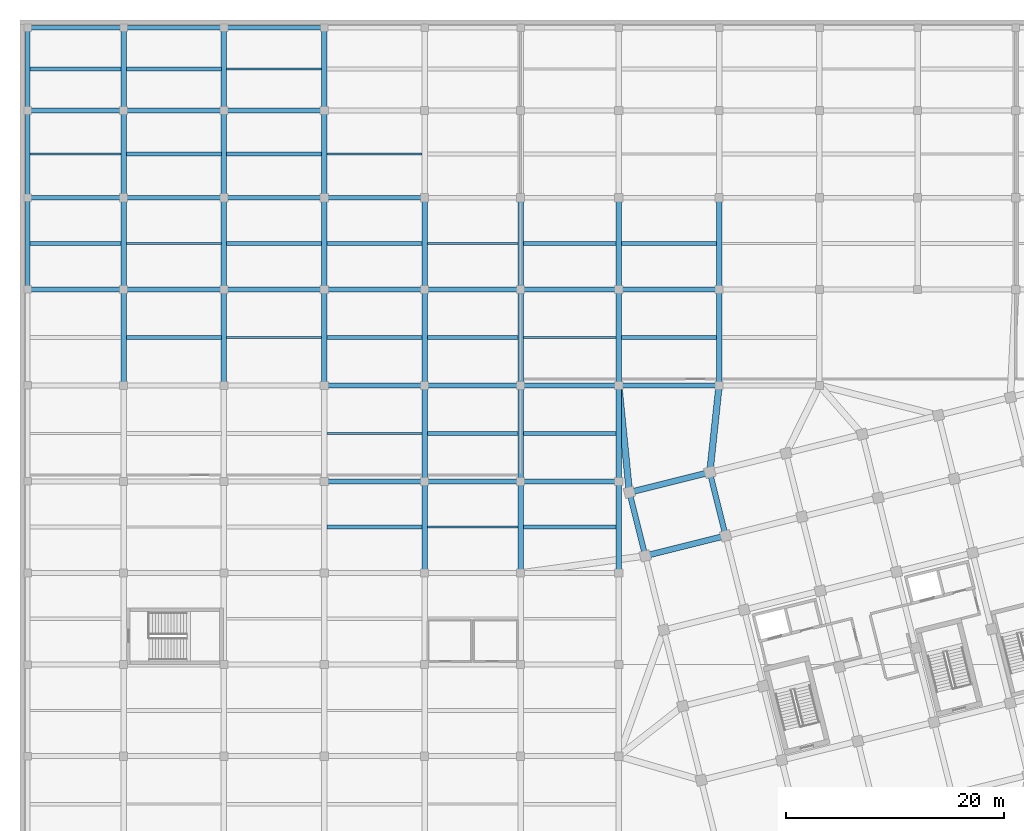
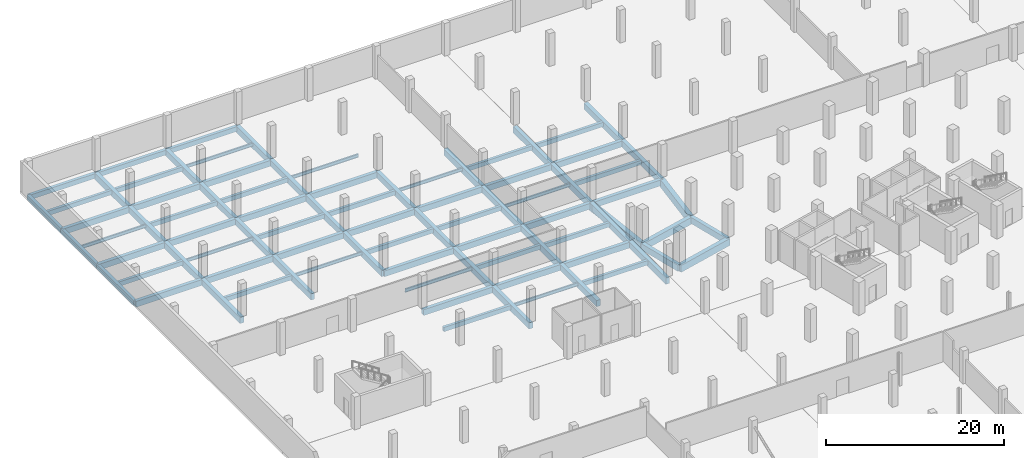
# One storey, part 12 of 31: 85 beams.
"""IFC4 building model written with IfcOpenShell, lengths in metres."""

from ifc_helpers import new_model, si_unit, direction, frame, origin, origin_2d, place, context, subcontext, project, spatial, rectangle, i_section, extrude, material, material_profile, profile_set, type_object, element, save


model = new_model("IFC4")

# Units and contexts
model_context = context("Model", 3, precision=1e-05, world=origin(), true_north=direction((0.0, 1.0)))
body_context = subcontext(model_context, "Body", "Model", "MODEL_VIEW")
ifc_project = project(units=[si_unit("LENGTHUNIT", "METRE"), si_unit("AREAUNIT", "SQUARE_METRE"), si_unit("VOLUMEUNIT", "CUBIC_METRE"), si_unit("PLANEANGLEUNIT", "RADIAN"), si_unit("MASSUNIT", "GRAM", prefix="KILO")], contexts=[model_context])

# Site, building, storey
site_placement = place(None, origin())
site = spatial("IfcSite", under=ifc_project, at=site_placement, CompositionType="ELEMENT")
building_placement = place(site_placement, origin())
building = spatial("IfcBuilding", under=site, at=building_placement, Name="Meriwether Solvik Hall", CompositionType="ELEMENT")
storey_placement = place(building_placement, frame((0.0, 0.0, -4.5)))
storey = spatial("IfcBuildingStorey", under=building, at=storey_placement, Name="B01", CompositionType="ELEMENT", Elevation=-4.5)

# Beams
ifc_material_1 = material(Name="Concrete C40/50", Category="concrete")
ifc_material_profile_1 = material_profile(ifc_material_1, rectangle(XDim=0.35009765625, YDim=0.60009765625, at=origin_2d()), Name="RCB-350X600")
ifc_profile_set_1 = profile_set([ifc_material_profile_1], Name="Concrete C40/50")
beam_type_1 = type_object("IfcBeamType", Name="BM-RC-350X600", PredefinedType="JOIST", material=ifc_profile_set_1)
for number, where, z_axis, x_axis, name in (
    (1, (5.39501953125, 97.0, -0.6298828125), (1.0, 0.0, 0.0), (0.0, 1.0, 0.0), "Secondary Floor Joist 1/K (B01)"),
    (2, (5.39501953125, 113.0, -0.6298828125), (1.0, 0.0, 0.0), (0.0, 1.0, 0.0), "Secondary Floor Joist 1/M (B01)"),
):
    element("IfcBeam", number, at=place(storey_placement, frame(where, z_axis=z_axis, x_axis=x_axis)), inside=storey, type_object=beam_type_1, Name=name, PredefinedType="JOIST", context=body_context, shape_type="SweptSolid", body=[
        extrude(rectangle(XDim=0.35009765625, YDim=0.60009765625, at=origin_2d()), origin(), (0.0, 0.0, 1.0), 8.35986328125),
    ])
for number, where, z_axis, x_axis, name in (
    (3, (14.2451171875, 88.39990234375, -0.6298828125), (1.0, 0.0, 0.0), (0.0, 1.0, 0.0), "Secondary Floor Joist 2/J (B01)"),
    (4, (14.2451171875, 105.199951171875, -0.6298828125), (1.0, 0.0, 0.0), (0.0, 1.0, 0.0), "Secondary Floor Joist 2/L (B01)"),
    (5, (14.2451171875, 113.0, -0.6298828125), (1.0, 0.0, 0.0), (0.0, 1.0, 0.0), "Secondary Floor Joist 2/M (B01)"),
    (6, (23.445068359375, 97.0, -0.6298828125), (1.0, 0.0, 0.0), (0.0, 1.0, 0.0), "Secondary Floor Joist 3/K (B01)"),
    (7, (23.445068359375, 105.199951171875, -0.6298828125), (1.0, 0.0, 0.0), (0.0, 1.0, 0.0), "Secondary Floor Joist 3/L (B01)"),
    (8, (32.64501953125, 71.0, -0.6298828125), (1.0, 0.0, 0.0), (0.0, 1.0, 0.0), "Secondary Floor Joist 4/H (B01)"),
    (9, (32.64501953125, 88.39990234375, -0.6298828125), (1.0, 0.0, 0.0), (0.0, 1.0, 0.0), "Secondary Floor Joist 4/J (B01)"),
    (10, (32.64501953125, 97.0, -0.6298828125), (1.0, 0.0, 0.0), (0.0, 1.0, 0.0), "Secondary Floor Joist 4/K (B01)"),
):
    element("IfcBeam", number, at=place(storey_placement, frame(where, z_axis=z_axis, x_axis=x_axis)), inside=storey, type_object=beam_type_1, Name=name, PredefinedType="JOIST", context=body_context, shape_type="SweptSolid", body=[
        extrude(rectangle(XDim=0.35009765625, YDim=0.60009765625, at=origin_2d()), origin(), (0.0, 0.0, 1.0), 8.7099609375),
    ])
for number, where, z_axis, x_axis, name in (
    (11, (41.844970703125, 79.60009765625, -0.6298828125), (1.0, 0.0, 0.0), (0.0, 1.0, 0.0), "Secondary Floor Joist 5/I (B01)"),
    (12, (41.844970703125, 88.39990234375, -0.6298828125), (1.0, 0.0, 0.0), (0.0, 1.0, 0.0), "Secondary Floor Joist 5/J (B01)"),
):
    element("IfcBeam", number, at=place(storey_placement, frame(where, z_axis=z_axis, x_axis=x_axis)), inside=storey, type_object=beam_type_1, Name=name, PredefinedType="JOIST", context=body_context, shape_type="SweptSolid", body=[
        extrude(rectangle(XDim=0.35009765625, YDim=0.60009765625, at=origin_2d()), origin(), (0.0, 0.0, 1.0), 8.31005859375),
    ])
for number, where, z_axis, x_axis, name in (
    (13, (50.64501953125, 71.0, -0.699951171875), (1.0, 0.0, 0.0), (0.0, 1.0, 0.0), "Secondary Floor Joist 6/H (B01)"),
    (14, (50.64501953125, 79.60009765625, -0.699951171875), (1.0, 0.0, 0.0), (0.0, 1.0, 0.0), "Secondary Floor Joist 6/I (B01)"),
    (15, (50.64501953125, 97.0, -0.699951171875), (1.0, 0.0, 0.0), (0.0, 1.0, 0.0), "Secondary Floor Joist 6/K (B01)"),
):
    element("IfcBeam", number, at=place(storey_placement, frame(where, z_axis=z_axis, x_axis=x_axis)), inside=storey, type_object=beam_type_1, Name=name, PredefinedType="JOIST", context=body_context, shape_type="SweptSolid", body=[
        extrude(rectangle(XDim=0.35009765625, YDim=0.60009765625, at=origin_2d()), origin(), (0.0, 0.0, 1.0), 8.510009765625),
    ])
for number, where, z_axis, x_axis, name in (
    (16, (59.64501953125, 88.39990234375, -0.699951171875), (1.0, 0.0, 0.0), (0.0, 1.0, 0.0), "Secondary Floor Joist 7/J (B01)"),
    (17, (59.64501953125, 97.0, -0.699951171875), (1.0, 0.0, 0.0), (0.0, 1.0, 0.0), "Secondary Floor Joist 7/K (B01)"),
):
    element("IfcBeam", number, at=place(storey_placement, frame(where, z_axis=z_axis, x_axis=x_axis)), inside=storey, type_object=beam_type_1, Name=name, PredefinedType="JOIST", context=body_context, shape_type="SweptSolid", body=[
        extrude(rectangle(XDim=0.35009765625, YDim=0.60009765625, at=origin_2d()), origin(), (0.0, 0.0, 1.0), 8.7099609375),
    ])
ifc_material_2 = material(Name="Concrete C40/50", Category="concrete")
ifc_material_profile_2 = material_profile(ifc_material_2, rectangle(XDim=0.39990234375, YDim=0.64990234375, at=origin_2d()), Name="RCB-400X650")
ifc_profile_set_2 = profile_set([ifc_material_profile_2], Name="Concrete C40/50")
beam_type_2 = type_object("IfcBeamType", Name="BM-RC-400X650", PredefinedType="SPANDREL", material=ifc_profile_set_2)
beam_1_placement = place(storey_placement, frame((5.199951171875, 116.800048828125, -0.655029296875), z_axis=(1.0, 0.0, 0.0), x_axis=(0.0, 1.0, 0.0)))
element("IfcBeam", 18, at=beam_1_placement, inside=storey, type_object=beam_type_2, Name="Podium Girder N:1-2 (B01)", PredefinedType="SPANDREL", context=body_context, shape_type="SweptSolid", body=[
    extrude(rectangle(XDim=0.39990234375, YDim=0.64990234375, at=origin_2d()), origin(), (0.0, 0.0, 1.0), 8.800048828125),
])
for number, where, z_axis, x_axis, name in (
    (19, (14.0, 116.800048828125, -0.655029296875), (1.0, 0.0, 0.0), (0.0, 1.0, 0.0), "Podium Girder N:2-3 (B01)"),
    (20, (23.199951171875, 116.800048828125, -0.655029296875), (1.0, 0.0, 0.0), (0.0, 1.0, 0.0), "Podium Girder N:3-4 (B01)"),
):
    element("IfcBeam", number, at=place(storey_placement, frame(where, z_axis=z_axis, x_axis=x_axis)), inside=storey, type_object=beam_type_2, Name=name, PredefinedType="SPANDREL", context=body_context, shape_type="SweptSolid", body=[
        extrude(rectangle(XDim=0.39990234375, YDim=0.64990234375, at=origin_2d()), origin(), (0.0, 0.0, 1.0), 9.199951171875),
    ])
beam_2_placement = place(storey_placement, frame((5.199951171875, 92.800048828125, -0.655029296875), z_axis=(0.0, 1.0, 0.0), x_axis=(-1.0, 0.0, 0.0)))
element("IfcBeam", 21, at=beam_2_placement, inside=storey, type_object=beam_type_2, Name="Podium Girder 1:K-L (B01)", PredefinedType="SPANDREL", context=body_context, shape_type="SweptSolid", body=[
    extrude(rectangle(XDim=0.39990234375, YDim=0.64990234375, at=origin_2d()), origin(), (0.0, 0.0, 1.0), 8.39990234375),
])
beam_3_placement = place(storey_placement, frame((5.199951171875, 101.199951171875, -0.655029296875), z_axis=(0.0, 1.0, 0.0), x_axis=(-1.0, 0.0, 0.0)))
element("IfcBeam", 22, at=beam_3_placement, inside=storey, type_object=beam_type_2, Name="Podium Girder 1:L-M (B01)", PredefinedType="SPANDREL", context=body_context, shape_type="SweptSolid", body=[
    extrude(rectangle(XDim=0.39990234375, YDim=0.64990234375, at=origin_2d()), origin(), (0.0, 0.0, 1.0), 8.0),
])
beam_4_placement = place(storey_placement, frame((5.199951171875, 109.199951171875, -0.655029296875), z_axis=(0.0, 1.0, 0.0), x_axis=(-1.0, 0.0, 0.0)))
element("IfcBeam", 23, at=beam_4_placement, inside=storey, type_object=beam_type_2, Name="Podium Girder 1:M-N (B01)", PredefinedType="SPANDREL", context=body_context, shape_type="SweptSolid", body=[
    extrude(rectangle(XDim=0.39990234375, YDim=0.64990234375, at=origin_2d()), origin(), (0.0, 0.0, 1.0), 7.60009765625),
])
ifc_material_3 = material(Name="Concrete C40/50", Category="concrete")
ifc_material_profile_3 = material_profile(ifc_material_3, rectangle(XDim=0.449951171875, YDim=0.800048828125, at=origin_2d()), Name="RCB-450X800")
ifc_profile_set_3 = profile_set([ifc_material_profile_3], Name="Concrete C40/50")
beam_type_3 = type_object("IfcBeamType", Name="BM-RC-450X800", PredefinedType="BEAM", material=ifc_profile_set_3)
beam_5_placement = place(storey_placement, frame((32.39990234375, 75.199951171875, -0.72998046875), z_axis=(1.0, 0.0, 0.0), x_axis=(0.0, 1.0, 0.0)))
element("IfcBeam", 24, at=beam_5_placement, inside=storey, type_object=beam_type_3, Name="Podium Girder I:4-5 (B01)", PredefinedType="BEAM", context=body_context, shape_type="SweptSolid", body=[
    extrude(rectangle(XDim=0.449951171875, YDim=0.800048828125, at=origin_2d()), origin(), (0.0, 0.0, 1.0), 9.2001953125),
])
beam_6_placement = place(storey_placement, frame((41.60009765625, 75.199951171875, -0.72998046875), z_axis=(1.0, 0.0, 0.0), x_axis=(0.0, 1.0, 0.0)))
element("IfcBeam", 25, at=beam_6_placement, inside=storey, type_object=beam_type_3, Name="Podium Girder I:5-6 (B01)", PredefinedType="BEAM", context=body_context, shape_type="SweptSolid", body=[
    extrude(rectangle(XDim=0.449951171875, YDim=0.800048828125, at=origin_2d()), origin(), (0.0, 0.0, 1.0), 8.7998046875),
])
beam_7_placement = place(storey_placement, frame((50.39990234375, 75.199951171875, -0.800048828125), z_axis=(1.0, 0.0, 0.0), x_axis=(0.0, 1.0, 0.0)))
element("IfcBeam", 26, at=beam_7_placement, inside=storey, type_object=beam_type_3, Name="Podium Girder I:6-7 (B01)", PredefinedType="BEAM", context=body_context, shape_type="SweptSolid", body=[
    extrude(rectangle(XDim=0.449951171875, YDim=0.800048828125, at=origin_2d()), origin(), (0.0, 0.0, 1.0), 9.0),
])
beam_8_placement = place(storey_placement, frame((32.39990234375, 84.0, -0.72998046875), z_axis=(1.0, 0.0, 0.0), x_axis=(0.0, 1.0, 0.0)))
element("IfcBeam", 27, at=beam_8_placement, inside=storey, type_object=beam_type_3, Name="Podium Girder J:4-5 (B01)", PredefinedType="BEAM", context=body_context, shape_type="SweptSolid", body=[
    extrude(rectangle(XDim=0.449951171875, YDim=0.800048828125, at=origin_2d()), origin(), (0.0, 0.0, 1.0), 9.2001953125),
])
beam_9_placement = place(storey_placement, frame((41.60009765625, 84.0, -0.72998046875), z_axis=(1.0, 0.0, 0.0), x_axis=(0.0, 1.0, 0.0)))
element("IfcBeam", 28, at=beam_9_placement, inside=storey, type_object=beam_type_3, Name="Podium Girder J:5-6 (B01)", PredefinedType="BEAM", context=body_context, shape_type="SweptSolid", body=[
    extrude(rectangle(XDim=0.449951171875, YDim=0.800048828125, at=origin_2d()), origin(), (0.0, 0.0, 1.0), 8.7998046875),
])
beam_10_placement = place(storey_placement, frame((50.39990234375, 84.0, -0.800048828125), z_axis=(1.0, 0.0, 0.0), x_axis=(0.0, 1.0, 0.0)))
element("IfcBeam", 29, at=beam_10_placement, inside=storey, type_object=beam_type_3, Name="Podium Girder J:6-7 (B01)", PredefinedType="BEAM", context=body_context, shape_type="SweptSolid", body=[
    extrude(rectangle(XDim=0.449951171875, YDim=0.800048828125, at=origin_2d()), origin(), (0.0, 0.0, 1.0), 9.0),
])
beam_11_placement = place(storey_placement, frame((59.39990234375, 84.0, -0.800048828125), z_axis=(1.0, 0.0, 0.0), x_axis=(0.0, 1.0, 0.0)))
element("IfcBeam", 30, at=beam_11_placement, inside=storey, type_object=beam_type_3, Name="Podium Girder J:7-8 (B01)", PredefinedType="BEAM", context=body_context, shape_type="SweptSolid", body=[
    extrude(rectangle(XDim=0.449951171875, YDim=0.800048828125, at=origin_2d()), origin(), (0.0, 0.0, 1.0), 9.2001953125),
])
beam_12_placement = place(storey_placement, frame((5.199951171875, 92.800048828125, -0.72998046875), z_axis=(1.0, 0.0, 0.0), x_axis=(0.0, 1.0, 0.0)))
element("IfcBeam", 31, at=beam_12_placement, inside=storey, type_object=beam_type_3, Name="Podium Girder K:1-2 (B01)", PredefinedType="BEAM", context=body_context, shape_type="SweptSolid", body=[
    extrude(rectangle(XDim=0.449951171875, YDim=0.800048828125, at=origin_2d()), origin(), (0.0, 0.0, 1.0), 8.800048828125),
])
for number, where, z_axis, x_axis, name in (
    (32, (14.0, 92.800048828125, -0.72998046875), (1.0, 0.0, 0.0), (0.0, 1.0, 0.0), "Podium Girder K:2-3 (B01)"),
    (33, (23.199951171875, 92.800048828125, -0.72998046875), (1.0, 0.0, 0.0), (0.0, 1.0, 0.0), "Podium Girder K:3-4 (B01)"),
):
    element("IfcBeam", number, at=place(storey_placement, frame(where, z_axis=z_axis, x_axis=x_axis)), inside=storey, type_object=beam_type_3, Name=name, PredefinedType="BEAM", context=body_context, shape_type="SweptSolid", body=[
        extrude(rectangle(XDim=0.449951171875, YDim=0.800048828125, at=origin_2d()), origin(), (0.0, 0.0, 1.0), 9.199951171875),
    ])
beam_13_placement = place(storey_placement, frame((32.39990234375, 92.800048828125, -0.72998046875), z_axis=(1.0, 0.0, 0.0), x_axis=(0.0, 1.0, 0.0)))
element("IfcBeam", 34, at=beam_13_placement, inside=storey, type_object=beam_type_3, Name="Podium Girder K:4-5 (B01)", PredefinedType="BEAM", context=body_context, shape_type="SweptSolid", body=[
    extrude(rectangle(XDim=0.449951171875, YDim=0.800048828125, at=origin_2d()), origin(), (0.0, 0.0, 1.0), 9.2001953125),
])
beam_14_placement = place(storey_placement, frame((41.60009765625, 92.800048828125, -0.72998046875), z_axis=(1.0, 0.0, 0.0), x_axis=(0.0, 1.0, 0.0)))
element("IfcBeam", 35, at=beam_14_placement, inside=storey, type_object=beam_type_3, Name="Podium Girder K:5-6 (B01)", PredefinedType="BEAM", context=body_context, shape_type="SweptSolid", body=[
    extrude(rectangle(XDim=0.449951171875, YDim=0.800048828125, at=origin_2d()), origin(), (0.0, 0.0, 1.0), 8.7998046875),
])
beam_15_placement = place(storey_placement, frame((50.39990234375, 92.800048828125, -0.800048828125), z_axis=(1.0, 0.0, 0.0), x_axis=(0.0, 1.0, 0.0)))
element("IfcBeam", 36, at=beam_15_placement, inside=storey, type_object=beam_type_3, Name="Podium Girder K:6-7 (B01)", PredefinedType="BEAM", context=body_context, shape_type="SweptSolid", body=[
    extrude(rectangle(XDim=0.449951171875, YDim=0.800048828125, at=origin_2d()), origin(), (0.0, 0.0, 1.0), 9.0),
])
beam_16_placement = place(storey_placement, frame((59.39990234375, 92.800048828125, -0.800048828125), z_axis=(1.0, 0.0, 0.0), x_axis=(0.0, 1.0, 0.0)))
element("IfcBeam", 37, at=beam_16_placement, inside=storey, type_object=beam_type_3, Name="Podium Girder K:7-8 (B01)", PredefinedType="BEAM", context=body_context, shape_type="SweptSolid", body=[
    extrude(rectangle(XDim=0.449951171875, YDim=0.800048828125, at=origin_2d()), origin(), (0.0, 0.0, 1.0), 9.2001953125),
])
beam_17_placement = place(storey_placement, frame((5.199951171875, 101.199951171875, -0.72998046875), z_axis=(1.0, 0.0, 0.0), x_axis=(0.0, 1.0, 0.0)))
element("IfcBeam", 38, at=beam_17_placement, inside=storey, type_object=beam_type_3, Name="Podium Girder L:1-2 (B01)", PredefinedType="BEAM", context=body_context, shape_type="SweptSolid", body=[
    extrude(rectangle(XDim=0.449951171875, YDim=0.800048828125, at=origin_2d()), origin(), (0.0, 0.0, 1.0), 8.800048828125),
])
for number, where, z_axis, x_axis, name in (
    (39, (14.0, 101.199951171875, -0.72998046875), (1.0, 0.0, 0.0), (0.0, 1.0, 0.0), "Podium Girder L:2-3 (B01)"),
    (40, (23.199951171875, 101.199951171875, -0.72998046875), (1.0, 0.0, 0.0), (0.0, 1.0, 0.0), "Podium Girder L:3-4 (B01)"),
):
    element("IfcBeam", number, at=place(storey_placement, frame(where, z_axis=z_axis, x_axis=x_axis)), inside=storey, type_object=beam_type_3, Name=name, PredefinedType="BEAM", context=body_context, shape_type="SweptSolid", body=[
        extrude(rectangle(XDim=0.449951171875, YDim=0.800048828125, at=origin_2d()), origin(), (0.0, 0.0, 1.0), 9.199951171875),
    ])
beam_18_placement = place(storey_placement, frame((32.39990234375, 101.199951171875, -0.72998046875), z_axis=(1.0, 0.0, 0.0), x_axis=(0.0, 1.0, 0.0)))
element("IfcBeam", 41, at=beam_18_placement, inside=storey, type_object=beam_type_3, Name="Podium Girder L:4-5 (B01)", PredefinedType="BEAM", context=body_context, shape_type="SweptSolid", body=[
    extrude(rectangle(XDim=0.449951171875, YDim=0.800048828125, at=origin_2d()), origin(), (0.0, 0.0, 1.0), 9.2001953125),
])
beam_19_placement = place(storey_placement, frame((5.199951171875, 109.199951171875, -0.72998046875), z_axis=(1.0, 0.0, 0.0), x_axis=(0.0, 1.0, 0.0)))
element("IfcBeam", 42, at=beam_19_placement, inside=storey, type_object=beam_type_3, Name="Podium Girder M:1-2 (B01)", PredefinedType="BEAM", context=body_context, shape_type="SweptSolid", body=[
    extrude(rectangle(XDim=0.449951171875, YDim=0.800048828125, at=origin_2d()), origin(), (0.0, 0.0, 1.0), 8.800048828125),
])
for number, where, z_axis, x_axis, name in (
    (43, (14.0, 109.199951171875, -0.72998046875), (1.0, 0.0, 0.0), (0.0, 1.0, 0.0), "Podium Girder M:2-3 (B01)"),
    (44, (23.199951171875, 109.199951171875, -0.72998046875), (1.0, 0.0, 0.0), (0.0, 1.0, 0.0), "Podium Girder M:3-4 (B01)"),
):
    element("IfcBeam", number, at=place(storey_placement, frame(where, z_axis=z_axis, x_axis=x_axis)), inside=storey, type_object=beam_type_3, Name=name, PredefinedType="BEAM", context=body_context, shape_type="SweptSolid", body=[
        extrude(rectangle(XDim=0.449951171875, YDim=0.800048828125, at=origin_2d()), origin(), (0.0, 0.0, 1.0), 9.199951171875),
    ])
ifc_material_4 = material(Name="Concrete C40/50", Category="concrete")
ifc_material_profile_4 = material_profile(ifc_material_4, rectangle(XDim=0.5, YDim=0.85009765625, at=origin_2d()), Name="RCB-500X850")
ifc_profile_set_4 = profile_set([ifc_material_profile_4], Name="Concrete C40/50")
beam_type_4 = type_object("IfcBeamType", Name="BM-RC-500X850", PredefinedType="BEAM", material=ifc_profile_set_4)
beam_20_placement = place(storey_placement, frame((14.0, 84.0, -0.7548828125), z_axis=(0.0, 1.0, 0.0), x_axis=(-1.0, 0.0, 0.0)))
element("IfcBeam", 45, at=beam_20_placement, inside=storey, type_object=beam_type_4, Name="Podium Girder 2:J-K (B01)", PredefinedType="BEAM", context=body_context, shape_type="SweptSolid", body=[
    extrude(rectangle(XDim=0.5, YDim=0.85009765625, at=origin_2d()), origin(), (0.0, 0.0, 1.0), 8.800048828125),
])
beam_21_placement = place(storey_placement, frame((14.0, 92.800048828125, -0.7548828125), z_axis=(0.0, 1.0, 0.0), x_axis=(-1.0, 0.0, 0.0)))
element("IfcBeam", 46, at=beam_21_placement, inside=storey, type_object=beam_type_4, Name="Podium Girder 2:K-L (B01)", PredefinedType="BEAM", context=body_context, shape_type="SweptSolid", body=[
    extrude(rectangle(XDim=0.5, YDim=0.85009765625, at=origin_2d()), origin(), (0.0, 0.0, 1.0), 8.39990234375),
])
beam_22_placement = place(storey_placement, frame((14.0, 101.199951171875, -0.7548828125), z_axis=(0.0, 1.0, 0.0), x_axis=(-1.0, 0.0, 0.0)))
element("IfcBeam", 47, at=beam_22_placement, inside=storey, type_object=beam_type_4, Name="Podium Girder 2:L-M (B01)", PredefinedType="BEAM", context=body_context, shape_type="SweptSolid", body=[
    extrude(rectangle(XDim=0.5, YDim=0.85009765625, at=origin_2d()), origin(), (0.0, 0.0, 1.0), 8.0),
])
beam_23_placement = place(storey_placement, frame((14.0, 109.199951171875, -0.7548828125), z_axis=(0.0, 1.0, 0.0), x_axis=(-1.0, 0.0, 0.0)))
element("IfcBeam", 48, at=beam_23_placement, inside=storey, type_object=beam_type_4, Name="Podium Girder 2:M-N (B01)", PredefinedType="BEAM", context=body_context, shape_type="SweptSolid", body=[
    extrude(rectangle(XDim=0.5, YDim=0.85009765625, at=origin_2d()), origin(), (0.0, 0.0, 1.0), 7.60009765625),
])
beam_24_placement = place(storey_placement, frame((23.199951171875, 84.0, -0.7548828125), z_axis=(0.0, 1.0, 0.0), x_axis=(-1.0, 0.0, 0.0)))
element("IfcBeam", 49, at=beam_24_placement, inside=storey, type_object=beam_type_4, Name="Podium Girder 3:J-K (B01)", PredefinedType="BEAM", context=body_context, shape_type="SweptSolid", body=[
    extrude(rectangle(XDim=0.5, YDim=0.85009765625, at=origin_2d()), origin(), (0.0, 0.0, 1.0), 8.800048828125),
])
beam_25_placement = place(storey_placement, frame((23.199951171875, 92.800048828125, -0.7548828125), z_axis=(0.0, 1.0, 0.0), x_axis=(-1.0, 0.0, 0.0)))
element("IfcBeam", 50, at=beam_25_placement, inside=storey, type_object=beam_type_4, Name="Podium Girder 3:K-L (B01)", PredefinedType="BEAM", context=body_context, shape_type="SweptSolid", body=[
    extrude(rectangle(XDim=0.5, YDim=0.85009765625, at=origin_2d()), origin(), (0.0, 0.0, 1.0), 8.39990234375),
])
beam_26_placement = place(storey_placement, frame((23.199951171875, 101.199951171875, -0.7548828125), z_axis=(0.0, 1.0, 0.0), x_axis=(-1.0, 0.0, 0.0)))
element("IfcBeam", 51, at=beam_26_placement, inside=storey, type_object=beam_type_4, Name="Podium Girder 3:L-M (B01)", PredefinedType="BEAM", context=body_context, shape_type="SweptSolid", body=[
    extrude(rectangle(XDim=0.5, YDim=0.85009765625, at=origin_2d()), origin(), (0.0, 0.0, 1.0), 8.0),
])
beam_27_placement = place(storey_placement, frame((23.199951171875, 109.199951171875, -0.7548828125), z_axis=(0.0, 1.0, 0.0), x_axis=(-1.0, 0.0, 0.0)))
element("IfcBeam", 52, at=beam_27_placement, inside=storey, type_object=beam_type_4, Name="Podium Girder 3:M-N (B01)", PredefinedType="BEAM", context=body_context, shape_type="SweptSolid", body=[
    extrude(rectangle(XDim=0.5, YDim=0.85009765625, at=origin_2d()), origin(), (0.0, 0.0, 1.0), 7.60009765625),
])
beam_28_placement = place(storey_placement, frame((32.39990234375, 84.0, -0.7548828125), z_axis=(0.0, 1.0, 0.0), x_axis=(-1.0, 0.0, 0.0)))
element("IfcBeam", 53, at=beam_28_placement, inside=storey, type_object=beam_type_4, Name="Podium Girder 4:J-K (B01)", PredefinedType="BEAM", context=body_context, shape_type="SweptSolid", body=[
    extrude(rectangle(XDim=0.5, YDim=0.85009765625, at=origin_2d()), origin(), (0.0, 0.0, 1.0), 8.800048828125),
])
beam_29_placement = place(storey_placement, frame((32.39990234375, 92.800048828125, -0.7548828125), z_axis=(0.0, 1.0, 0.0), x_axis=(-1.0, 0.0, 0.0)))
element("IfcBeam", 54, at=beam_29_placement, inside=storey, type_object=beam_type_4, Name="Podium Girder 4:K-L (B01)", PredefinedType="BEAM", context=body_context, shape_type="SweptSolid", body=[
    extrude(rectangle(XDim=0.5, YDim=0.85009765625, at=origin_2d()), origin(), (0.0, 0.0, 1.0), 8.39990234375),
])
beam_30_placement = place(storey_placement, frame((32.39990234375, 101.199951171875, -0.7548828125), z_axis=(0.0, 1.0, 0.0), x_axis=(-1.0, 0.0, 0.0)))
element("IfcBeam", 55, at=beam_30_placement, inside=storey, type_object=beam_type_4, Name="Podium Girder 4:L-M (B01)", PredefinedType="BEAM", context=body_context, shape_type="SweptSolid", body=[
    extrude(rectangle(XDim=0.5, YDim=0.85009765625, at=origin_2d()), origin(), (0.0, 0.0, 1.0), 8.0),
])
beam_31_placement = place(storey_placement, frame((32.39990234375, 109.199951171875, -0.7548828125), z_axis=(0.0, 1.0, 0.0), x_axis=(-1.0, 0.0, 0.0)))
element("IfcBeam", 56, at=beam_31_placement, inside=storey, type_object=beam_type_4, Name="Podium Girder 4:M-N (B01)", PredefinedType="BEAM", context=body_context, shape_type="SweptSolid", body=[
    extrude(rectangle(XDim=0.5, YDim=0.85009765625, at=origin_2d()), origin(), (0.0, 0.0, 1.0), 7.60009765625),
])
beam_32_placement = place(storey_placement, frame((41.60009765625, 66.800048828125, -0.7548828125), z_axis=(0.0, 1.0, 0.0), x_axis=(-1.0, 0.0, 0.0)))
element("IfcBeam", 57, at=beam_32_placement, inside=storey, type_object=beam_type_4, Name="Podium Girder 5:H-I (B01)", PredefinedType="BEAM", context=body_context, shape_type="SweptSolid", body=[
    extrude(rectangle(XDim=0.5, YDim=0.85009765625, at=origin_2d()), origin(), (0.0, 0.0, 1.0), 8.39990234375),
])
for number, where, z_axis, x_axis, name in (
    (58, (41.60009765625, 75.199951171875, -0.7548828125), (0.0, 1.0, 0.0), (-1.0, 0.0, 0.0), "Podium Girder 5:I-J (B01)"),
    (59, (41.60009765625, 84.0, -0.7548828125), (0.0, 1.0, 0.0), (-1.0, 0.0, 0.0), "Podium Girder 5:J-K (B01)"),
):
    element("IfcBeam", number, at=place(storey_placement, frame(where, z_axis=z_axis, x_axis=x_axis)), inside=storey, type_object=beam_type_4, Name=name, PredefinedType="BEAM", context=body_context, shape_type="SweptSolid", body=[
        extrude(rectangle(XDim=0.5, YDim=0.85009765625, at=origin_2d()), origin(), (0.0, 0.0, 1.0), 8.800048828125),
    ])
for number, where, z_axis, x_axis, name in (
    (60, (41.60009765625, 92.800048828125, -0.7548828125), (0.0, 1.0, 0.0), (-1.0, 0.0, 0.0), "Podium Girder 5:K-L (B01)"),
    (61, (50.39990234375, 66.800048828125, -0.7548828125), (0.0, 1.0, 0.0), (-1.0, 0.0, 0.0), "Podium Girder 6:H-I (B01)"),
):
    element("IfcBeam", number, at=place(storey_placement, frame(where, z_axis=z_axis, x_axis=x_axis)), inside=storey, type_object=beam_type_4, Name=name, PredefinedType="BEAM", context=body_context, shape_type="SweptSolid", body=[
        extrude(rectangle(XDim=0.5, YDim=0.85009765625, at=origin_2d()), origin(), (0.0, 0.0, 1.0), 8.39990234375),
    ])
for number, where, z_axis, x_axis, name in (
    (62, (50.39990234375, 75.199951171875, -0.7548828125), (0.0, 1.0, 0.0), (-1.0, 0.0, 0.0), "Podium Girder 6:I-J (B01)"),
    (63, (50.39990234375, 84.0, -0.7548828125), (0.0, 1.0, 0.0), (-1.0, 0.0, 0.0), "Podium Girder 6:J-K (B01)"),
):
    element("IfcBeam", number, at=place(storey_placement, frame(where, z_axis=z_axis, x_axis=x_axis)), inside=storey, type_object=beam_type_4, Name=name, PredefinedType="BEAM", context=body_context, shape_type="SweptSolid", body=[
        extrude(rectangle(XDim=0.5, YDim=0.85009765625, at=origin_2d()), origin(), (0.0, 0.0, 1.0), 8.800048828125),
    ])
for number, where, z_axis, x_axis, name in (
    (64, (50.39990234375, 92.800048828125, -0.7548828125), (0.0, 1.0, 0.0), (-1.0, 0.0, 0.0), "Podium Girder 6:K-L (B01)"),
    (65, (59.39990234375, 66.800048828125, -0.824951171875), (0.0, 1.0, 0.0), (-1.0, 0.0, 0.0), "Podium Girder 7:H-I (B01)"),
):
    element("IfcBeam", number, at=place(storey_placement, frame(where, z_axis=z_axis, x_axis=x_axis)), inside=storey, type_object=beam_type_4, Name=name, PredefinedType="BEAM", context=body_context, shape_type="SweptSolid", body=[
        extrude(rectangle(XDim=0.5, YDim=0.85009765625, at=origin_2d()), origin(), (0.0, 0.0, 1.0), 8.39990234375),
    ])
for number, where, z_axis, x_axis, name in (
    (66, (59.39990234375, 75.199951171875, -0.824951171875), (0.0, 1.0, 0.0), (-1.0, 0.0, 0.0), "Podium Girder 7:I-J (B01)"),
    (67, (59.39990234375, 84.0, -0.824951171875), (0.0, 1.0, 0.0), (-1.0, 0.0, 0.0), "Podium Girder 7:J-K (B01)"),
):
    element("IfcBeam", number, at=place(storey_placement, frame(where, z_axis=z_axis, x_axis=x_axis)), inside=storey, type_object=beam_type_4, Name=name, PredefinedType="BEAM", context=body_context, shape_type="SweptSolid", body=[
        extrude(rectangle(XDim=0.5, YDim=0.85009765625, at=origin_2d()), origin(), (0.0, 0.0, 1.0), 8.800048828125),
    ])
beam_33_placement = place(storey_placement, frame((59.39990234375, 92.800048828125, -0.824951171875), z_axis=(0.0, 1.0, 0.0), x_axis=(-1.0, 0.0, 0.0)))
element("IfcBeam", 68, at=beam_33_placement, inside=storey, type_object=beam_type_4, Name="Podium Girder 7:K-L (B01)", PredefinedType="BEAM", context=body_context, shape_type="SweptSolid", body=[
    extrude(rectangle(XDim=0.5, YDim=0.85009765625, at=origin_2d()), origin(), (0.0, 0.0, 1.0), 8.39990234375),
])
beam_34_placement = place(storey_placement, frame((68.60009765625, 84.0, -0.824951171875), z_axis=(0.0, 1.0, 0.0), x_axis=(-1.0, 0.0, 0.0)))
element("IfcBeam", 69, at=beam_34_placement, inside=storey, type_object=beam_type_4, Name="Podium Girder 8:J-K (B01)", PredefinedType="BEAM", context=body_context, shape_type="SweptSolid", body=[
    extrude(rectangle(XDim=0.5, YDim=0.85009765625, at=origin_2d()), origin(), (0.0, 0.0, 1.0), 8.800048828125),
])
beam_35_placement = place(storey_placement, frame((68.60009765625, 92.800048828125, -0.824951171875), z_axis=(0.0, 1.0, 0.0), x_axis=(-1.0, 0.0, 0.0)))
element("IfcBeam", 70, at=beam_35_placement, inside=storey, type_object=beam_type_4, Name="Podium Girder 8:K-L (B01)", PredefinedType="BEAM", context=body_context, shape_type="SweptSolid", body=[
    extrude(rectangle(XDim=0.5, YDim=0.85009765625, at=origin_2d()), origin(), (0.0, 0.0, 1.0), 8.39990234375),
])
for number, where, z_axis, x_axis, name in (
    (71, (61.826171875, 68.3681640625, -0.824951171875), (-0.241903677572, 0.970300268359, 0.0), (-0.970300268359, -0.241903677572, 0.0), "Tower Girder T1:TE-TF (B01)"),
    (72, (69.200439453125, 70.206787109375, -0.824951171875), (-0.241903677572, 0.970300268359, 0.0), (-0.970300268359, -0.241903677572, 0.0), "Tower Girder T2:TE-TF (B01)"),
):
    element("IfcBeam", number, at=place(storey_placement, frame(where, z_axis=z_axis, x_axis=x_axis)), inside=storey, type_object=beam_type_4, Name=name, PredefinedType="BEAM", context=body_context, shape_type="SweptSolid", body=[
        extrude(rectangle(XDim=0.5, YDim=0.85009765625, at=origin_2d()), origin(), (0.0, 0.0, 1.0), 6.0),
    ])
ifc_material_5 = material(Name="Concrete C40/50", Category="concrete")
ifc_material_profile_5 = material_profile(ifc_material_5, rectangle(XDim=0.550048828125, YDim=0.949951171875, at=origin_2d()), Name="RCB-550X950")
ifc_profile_set_5 = profile_set([ifc_material_profile_5], Name="Concrete C40/50")
beam_type_5 = type_object("IfcBeamType", Name="BM-RC-550X950", PredefinedType="BEAM", material=ifc_profile_set_5)
for number, where, z_axis, x_axis, name in (
    (73, (61.826171875, 68.3681640625, -0.875), (0.970295366785, 0.241923337436, 0.0), (-0.241923337436, 0.970295366785, 0.0), "Tower Girder TE:T1-T2 (B01)"),
    (74, (60.374755859375, 74.18994140625, -0.875), (0.970295366785, 0.241923337436, 0.0), (-0.241923337436, 0.970295366785, 0.0), "Tower Girder TF:T1-T2 (B01)"),
):
    element("IfcBeam", number, at=place(storey_placement, frame(where, z_axis=z_axis, x_axis=x_axis)), inside=storey, type_object=beam_type_5, Name=name, PredefinedType="BEAM", context=body_context, shape_type="SweptSolid", body=[
        extrude(rectangle(XDim=0.550048828125, YDim=0.949951171875, at=origin_2d()), origin(), (0.0, 0.0, 1.0), 7.60009765625),
    ])
ifc_material_6 = material(Name="Concrete C40/50", Category="concrete")
ifc_material_profile_6 = material_profile(ifc_material_6, rectangle(XDim=0.60009765625, YDim=1.050048828125, at=origin_2d()), Name="RCB-600X1050")
ifc_profile_set_6 = profile_set([ifc_material_profile_6], Name="Concrete C40/50")
beam_type_6 = type_object("IfcBeamType", Name="BM-RC-600X1050", PredefinedType="BEAM", material=ifc_profile_set_6)
beam_36_placement = place(storey_placement, frame((60.374755859375, 74.18994140625, -0.925048828125), z_axis=(-0.098885806068, 0.995098787738, 0.0), x_axis=(-0.995098787738, -0.098885806068, 0.0)))
element("IfcBeam", 75, at=beam_36_placement, inside=storey, type_object=beam_type_6, Name="Diaphragm Collector Girder T1/TF-7/J (B01)", PredefinedType="BEAM", context=body_context, shape_type="SweptSolid", body=[
    extrude(rectangle(XDim=0.60009765625, YDim=1.050048828125, at=origin_2d()), origin(), (0.0, 0.0, 1.0), 9.8583984375),
])
beam_37_placement = place(storey_placement, frame((67.7490234375, 76.028564453125, -0.925048828125), z_axis=(0.106162139873, 0.99434883218, 0.0), x_axis=(-0.99434883218, 0.106162139873, 0.0)))
element("IfcBeam", 76, at=beam_37_placement, inside=storey, type_object=beam_type_6, Name="Diaphragm Collector Girder T2/TF-8/J (B01)", PredefinedType="BEAM", context=body_context, shape_type="SweptSolid", body=[
    extrude(rectangle(XDim=0.60009765625, YDim=1.050048828125, at=origin_2d()), origin(), (0.0, 0.0, 1.0), 8.016845703125),
])
ifc_material_7 = material(Name="Steel A992 Grade 50", Category="steel")
ifc_material_profile_7 = material_profile(ifc_material_7, i_section(OverallWidth=0.19091796875, OverallDepth=0.45703125, WebThickness=0.009033203125, FlangeThickness=0.014404296875, at=origin_2d()), Name="W18X50")
ifc_profile_set_7 = profile_set([ifc_material_profile_7], Name="Steel A992 Grade 50")
beam_type_7 = type_object("IfcBeamType", Name="BM-STL-W18X50", PredefinedType="JOIST", material=ifc_profile_set_7)
beam_38_placement = place(storey_placement, frame((5.39501953125, 105.199951171875, -0.55859375), z_axis=(1.0, 0.0, 0.0), x_axis=(0.0, 1.0, 0.0)))
element("IfcBeam", 77, at=beam_38_placement, inside=storey, type_object=beam_type_7, Name="Secondary Floor Joist 1/L (B01)", PredefinedType="JOIST", context=body_context, shape_type="SweptSolid", body=[
    extrude(i_section(OverallWidth=0.19091796875, OverallDepth=0.45703125, WebThickness=0.009033203125, FlangeThickness=0.014404296875, at=origin_2d()), origin(), (0.0, 0.0, 1.0), 8.35986328125),
])
for number, where, z_axis, x_axis, name in (
    (78, (14.2451171875, 97.0, -0.55859375), (1.0, 0.0, 0.0), (0.0, 1.0, 0.0), "Secondary Floor Joist 2/K (B01)"),
    (79, (23.445068359375, 88.39990234375, -0.55859375), (1.0, 0.0, 0.0), (0.0, 1.0, 0.0), "Secondary Floor Joist 3/J (B01)"),
    (80, (23.445068359375, 113.0, -0.55859375), (1.0, 0.0, 0.0), (0.0, 1.0, 0.0), "Secondary Floor Joist 3/M (B01)"),
    (81, (32.64501953125, 79.60009765625, -0.55859375), (1.0, 0.0, 0.0), (0.0, 1.0, 0.0), "Secondary Floor Joist 4/I (B01)"),
    (82, (32.64501953125, 105.199951171875, -0.55859375), (1.0, 0.0, 0.0), (0.0, 1.0, 0.0), "Secondary Floor Joist 4/L (B01)"),
):
    element("IfcBeam", number, at=place(storey_placement, frame(where, z_axis=z_axis, x_axis=x_axis)), inside=storey, type_object=beam_type_7, Name=name, PredefinedType="JOIST", context=body_context, shape_type="SweptSolid", body=[
        extrude(i_section(OverallWidth=0.19091796875, OverallDepth=0.45703125, WebThickness=0.009033203125, FlangeThickness=0.014404296875, at=origin_2d()), origin(), (0.0, 0.0, 1.0), 8.7099609375),
    ])
for number, where, z_axis, x_axis, name in (
    (83, (41.844970703125, 71.0, -0.55859375), (1.0, 0.0, 0.0), (0.0, 1.0, 0.0), "Secondary Floor Joist 5/H (B01)"),
    (84, (41.844970703125, 97.0, -0.55859375), (1.0, 0.0, 0.0), (0.0, 1.0, 0.0), "Secondary Floor Joist 5/K (B01)"),
):
    element("IfcBeam", number, at=place(storey_placement, frame(where, z_axis=z_axis, x_axis=x_axis)), inside=storey, type_object=beam_type_7, Name=name, PredefinedType="JOIST", context=body_context, shape_type="SweptSolid", body=[
        extrude(i_section(OverallWidth=0.19091796875, OverallDepth=0.45703125, WebThickness=0.009033203125, FlangeThickness=0.014404296875, at=origin_2d()), origin(), (0.0, 0.0, 1.0), 8.31005859375),
    ])
beam_39_placement = place(storey_placement, frame((50.64501953125, 88.39990234375, -0.62841796875), z_axis=(1.0, 0.0, 0.0), x_axis=(0.0, 1.0, 0.0)))
element("IfcBeam", 85, at=beam_39_placement, inside=storey, type_object=beam_type_7, Name="Secondary Floor Joist 6/J (B01)", PredefinedType="JOIST", context=body_context, shape_type="SweptSolid", body=[
    extrude(i_section(OverallWidth=0.19091796875, OverallDepth=0.45703125, WebThickness=0.009033203125, FlangeThickness=0.014404296875, at=origin_2d()), origin(), (0.0, 0.0, 1.0), 8.510009765625),
])

save(model, "model.ifc")
